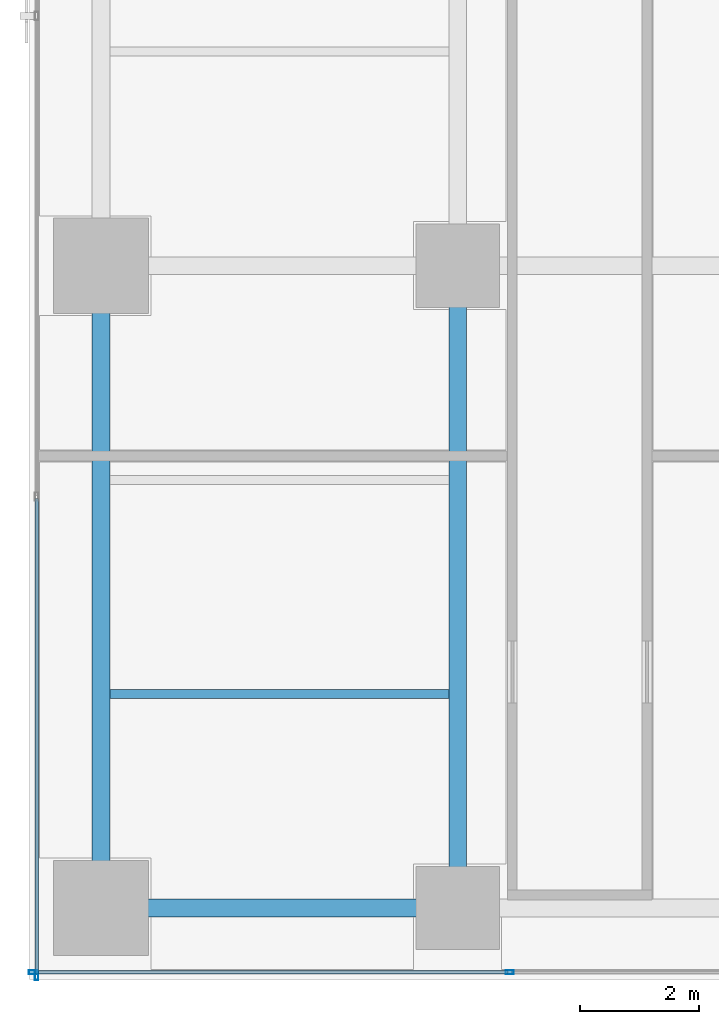
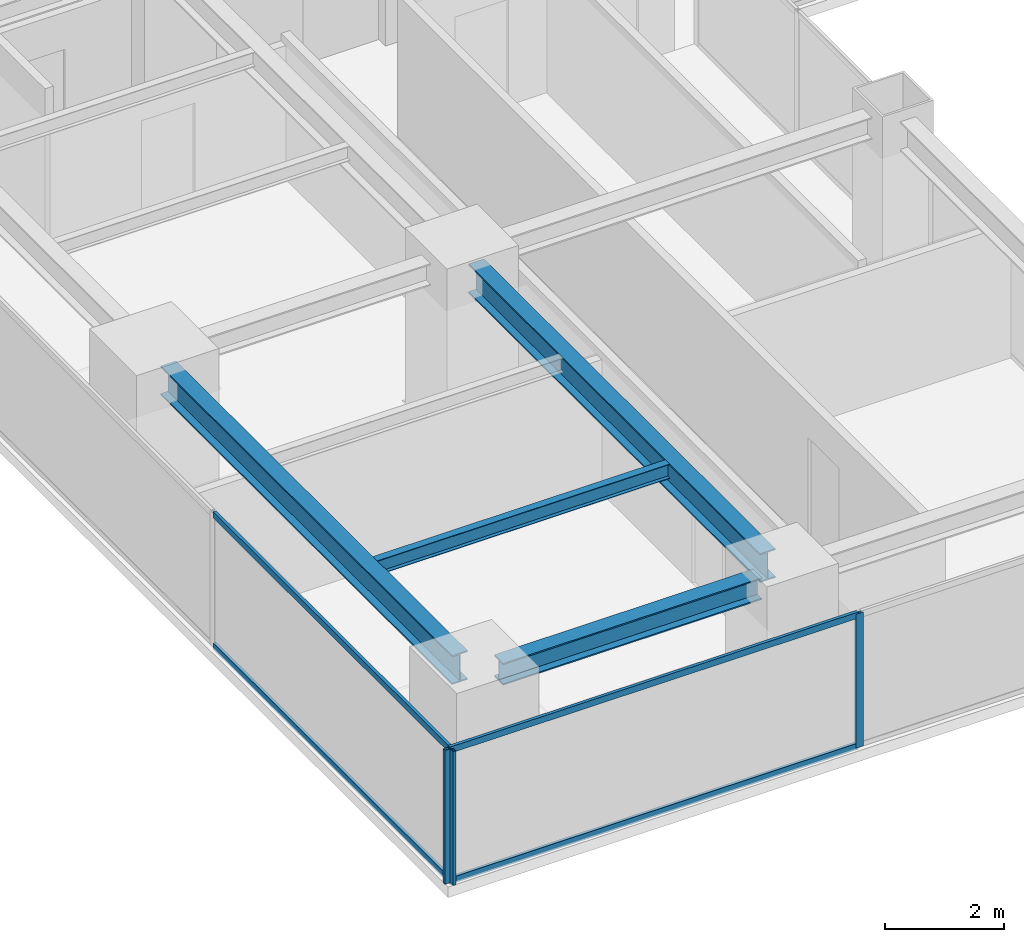
# One storey, part 2 of 29: 7 members, 4 beams, 2 elements without a shape of their own.
"""IFC4 building model written with IfcOpenShell, lengths in metres."""

from ifc_helpers import new_model, si_unit, direction, frame, origin, origin_2d, place, context, subcontext, project, spatial, hollow_rectangle, i_section, extrude, source, transform, mapped, material, layer, layer_set, material_profile, profile_set, type_object, element, aggregate, save


model = new_model("IFC4")

# Units and contexts
model_context = context("Model", 3, precision=1e-05, world=origin(), true_north=direction((0.0, 1.0)))
body_context = subcontext(model_context, "Body", "Model", "MODEL_VIEW")
ifc_project = project(units=[si_unit("LENGTHUNIT", "METRE"), si_unit("AREAUNIT", "SQUARE_METRE"), si_unit("VOLUMEUNIT", "CUBIC_METRE"), si_unit("PLANEANGLEUNIT", "RADIAN"), si_unit("MASSUNIT", "GRAM", prefix="KILO")], contexts=[model_context])

# Site, building, storey
site_placement = place(None, origin())
site = spatial("IfcSite", under=ifc_project, at=site_placement, CompositionType="ELEMENT")
building_placement = place(site_placement, origin())
building = spatial("IfcBuilding", under=site, at=building_placement, Name="Sumidabori Civic Tower", CompositionType="ELEMENT")
storey_placement = place(building_placement, frame((0.0, 0.0, 218.0)))
storey = spatial("IfcBuildingStorey", under=building, at=storey_placement, Name="L56", CompositionType="ELEMENT", Elevation=218.0)

# Beams
ifc_material_1 = material(Name="Steel SN490", Category="steel")
ifc_material_profile_1 = material_profile(ifc_material_1, i_section(OverallWidth=0.300048828125, OverallDepth=0.60009765625, WebThickness=0.015380859375, FlangeThickness=0.030029296875, at=origin_2d()), Name="HE 600 B")
ifc_profile_set_1 = profile_set([ifc_material_profile_1], Name="Steel SN490")
beam_type_1 = type_object("IfcBeamType", Name="BM-GIRD-600", PredefinedType="BEAM", material=ifc_profile_set_1)
shared_shape_1 = source(origin(), body_context, "Body", "SweptSolid", [
    extrude(i_section(OverallWidth=0.300048828125, OverallDepth=0.60009765625, WebThickness=0.015380859375, FlangeThickness=0.030029296875, at=origin_2d()), origin(), (0.0, 0.0, 1.0), 9.840087890625),
])
for number, where, z_axis, x_axis, name in (
    (1, (-22.800048828125, -10.320068359375, 3.080078125), (0.0, 1.0, 0.0), (-1.0, 0.0, 0.0), "Primary Girder L56 GY-11"),
    (2, (-16.800048828125, -10.320068359375, 3.080078125), (0.0, 1.0, 0.0), (-1.0, 0.0, 0.0), "Primary Girder L56 GY-14"),
):
    element("IfcBeam", number, at=place(storey_placement, frame(where, z_axis=z_axis, x_axis=x_axis)), inside=storey, type_object=beam_type_1, Name=name, PredefinedType="BEAM", context=body_context, shape_type="MappedRepresentation", body=[
        mapped(shared_shape_1, transform((0.0, 0.0, 0.0), x_axis=(1.0, 0.0, 0.0), y_axis=(0.0, 1.0, 0.0), z_axis=(0.0, 0.0, 1.0), scale=1.0)),
    ])
ifc_material_profile_2 = material_profile(ifc_material_1, i_section(OverallWidth=0.14990234375, OverallDepth=0.300048828125, WebThickness=0.007080078125, FlangeThickness=0.0107421875, at=origin_2d()), Name="IPE 300")
ifc_profile_set_2 = profile_set([ifc_material_profile_2], Name="Steel SN490")
beam_type_2 = type_object("IfcBeamType", Name="BM-JST-300", PredefinedType="JOIST", material=ifc_profile_set_2)
shared_shape_2 = source(origin(), body_context, "Body", "SweptSolid", [
    extrude(i_section(OverallWidth=0.14990234375, OverallDepth=0.300048828125, WebThickness=0.007080078125, FlangeThickness=0.0107421875, at=origin_2d()), origin(), (0.0, 0.0, 1.0), 5.699951171875),
])
beam_1_placement = place(storey_placement, frame((-22.64990234375, -7.199951171875, 3.22998046875), z_axis=(1.0, 0.0, 0.0), x_axis=(0.0, 1.0, 0.0)))
element("IfcBeam", 3, at=beam_1_placement, inside=storey, type_object=beam_type_2, Name="Outer Bay Floor Joist L56 JSTO-25", PredefinedType="JOIST", context=body_context, shape_type="MappedRepresentation", body=[
    mapped(shared_shape_2, transform((0.0, 0.0, 0.0), x_axis=(1.0, 0.0, 0.0), y_axis=(0.0, 1.0, 0.0), z_axis=(0.0, 0.0, 1.0), scale=1.0)),
])
ifc_material_profile_3 = material_profile(ifc_material_1, i_section(OverallWidth=0.300048828125, OverallDepth=0.449951171875, WebThickness=0.013916015625, FlangeThickness=0.02587890625, at=origin_2d()), Name="HE 450 B")
ifc_profile_set_3 = profile_set([ifc_material_profile_3], Name="Steel SN490")
beam_type_3 = type_object("IfcBeamType", Name="BM-GIRD-450", PredefinedType="BEAM", material=ifc_profile_set_3)
shared_shape_3 = source(origin(), body_context, "Body", "SweptSolid", [
    extrude(i_section(OverallWidth=0.300048828125, OverallDepth=0.449951171875, WebThickness=0.013916015625, FlangeThickness=0.02587890625, at=origin_2d()), origin(), (0.0, 0.0, 1.0), 5.0400390625),
])
beam_2_placement = place(storey_placement, frame((-22.320068359375, -10.800048828125, 3.155029296875), z_axis=(1.0, 0.0, 0.0), x_axis=(0.0, 1.0, 0.0)))
element("IfcBeam", 4, at=beam_2_placement, inside=storey, type_object=beam_type_3, Name="Primary Girder L56 GX-01", PredefinedType="BEAM", context=body_context, shape_type="MappedRepresentation", body=[
    mapped(shared_shape_3, transform((0.0, 0.0, 0.0), x_axis=(1.0, 0.0, 0.0), y_axis=(0.0, 1.0, 0.0), z_axis=(0.0, 0.0, 1.0), scale=1.0)),
])

# Curtain wall, members
ifc_material_2 = material(Name="Anodised Bronze Aluminium AW-6063-T6", Category="aluminium")
ifc_layer = layer(ifc_material_2, 0.179931640625, Name="Anodised Bronze Aluminium AW-6063-T6")
ifc_layer_set = layer_set([ifc_layer], Name="Anodised Bronze Aluminium AW-6063-T6")
curtain_wall_type = type_object("IfcCurtainWallType", Name="CW-SYS-5", PredefinedType="NOTDEFINED", material=ifc_layer_set)
curtain_wall_1_placement = place(storey_placement, origin())
curtain_wall_1 = element("IfcCurtainWall", 5, at=curtain_wall_1_placement, inside=storey, type_object=curtain_wall_type, Name="Curtain Wall CW:L56:R01", PredefinedType="NOTDEFINED")
ifc_material_profile_4 = material_profile(ifc_material_2, hollow_rectangle(XDim=0.06005859375, YDim=0.139892578125, WallThickness=0.0048828125, at=origin_2d()), Name="ALU MULLION 140x60")
ifc_profile_set_4 = profile_set([ifc_material_profile_4], Name="Anodised Bronze Aluminium AW-6063-T6")
member_type_1 = type_object("IfcMemberType", Name="CW-MUL-140", PredefinedType="MULLION", material=ifc_profile_set_4)
shared_shape_4 = source(origin(), body_context, "Body", "SweptSolid", [
    extrude(hollow_rectangle(XDim=0.06005859375, YDim=0.139892578125, WallThickness=0.0048828125, at=origin_2d()), origin(), (0.0, 0.0, 1.0), 2.760009765625),
])
member_1_placement = place(storey_placement, frame((-23.93994140625, -11.8798828125, 0.0), z_axis=(0.0, 0.0, 1.0), x_axis=(0.0, 1.0, 0.0)))
member_1 = element("IfcMember", 6, at=member_1_placement, type_object=member_type_1, Name="CW-5 mullion 1", PredefinedType="MULLION", context=body_context, shape_type="MappedRepresentation", body=[
    mapped(shared_shape_4, transform((0.0, 0.0, 0.0), x_axis=(1.0, 0.0, 0.0), y_axis=(0.0, 1.0, 0.0), z_axis=(0.0, 0.0, 1.0), scale=1.0)),
])
member_2_placement = place(storey_placement, frame((-15.925048828125, -11.8798828125, 0.0), z_axis=(0.0, 0.0, 1.0), x_axis=(0.0, 1.0, 0.0)))
member_2 = element("IfcMember", 7, at=member_2_placement, type_object=member_type_1, Name="CW-5 mullion 2", PredefinedType="MULLION", context=body_context, shape_type="MappedRepresentation", body=[
    mapped(shared_shape_4, transform((0.0, 0.0, 0.0), x_axis=(1.0, 0.0, 0.0), y_axis=(0.0, 1.0, 0.0), z_axis=(0.0, 0.0, 1.0), scale=1.0)),
])

# Curtain wall, member
curtain_wall_2_placement = place(storey_placement, origin())
curtain_wall_2 = element("IfcCurtainWall", 8, at=curtain_wall_2_placement, inside=storey, type_object=curtain_wall_type, Name="Curtain Wall CW:L56:R16", PredefinedType="NOTDEFINED")
member_3_placement = place(storey_placement, frame((-23.8798828125, -11.93994140625, 0.0), z_axis=(0.0, 0.0, 1.0), x_axis=(1.0, 0.0, 0.0)))
member_3 = element("IfcMember", 9, at=member_3_placement, type_object=member_type_1, Name="CW-5 mullion 5", PredefinedType="MULLION", context=body_context, shape_type="MappedRepresentation", body=[
    mapped(shared_shape_4, transform((0.0, 0.0, 0.0), x_axis=(1.0, 0.0, 0.0), y_axis=(0.0, 1.0, 0.0), z_axis=(0.0, 0.0, 1.0), scale=1.0)),
])

# Member
ifc_material_profile_5 = material_profile(ifc_material_2, hollow_rectangle(XDim=0.06005859375, YDim=0.1298828125, WallThickness=0.0048828125, at=origin_2d()), Name="ALU TRANSOM 130x60")
ifc_profile_set_5 = profile_set([ifc_material_profile_5], Name="Anodised Bronze Aluminium AW-6063-T6")
member_type_2 = type_object("IfcMemberType", Name="CW-TRN-130", PredefinedType="USERDEFINED", material=ifc_profile_set_5)
shared_shape_5 = source(origin(), body_context, "Body", "SweptSolid", [
    extrude(hollow_rectangle(XDim=0.06005859375, YDim=0.1298828125, WallThickness=0.0048828125, at=origin_2d()), origin(), (0.0, 0.0, 1.0), 7.954833984375),
])
member_4_placement = place(storey_placement, frame((-23.909912109375, -11.8798828125, 0.030029296875), z_axis=(1.0, 0.0, 0.0), x_axis=(0.0, 1.0, 0.0)))
member_4 = element("IfcMember", 10, at=member_4_placement, type_object=member_type_2, Name="CW-5 transom 1.1", ObjectType="TRANSOM", PredefinedType="USERDEFINED", context=body_context, shape_type="MappedRepresentation", body=[
    mapped(shared_shape_5, transform((0.0, 0.0, 0.0), x_axis=(1.0, 0.0, 0.0), y_axis=(0.0, 1.0, 0.0), z_axis=(0.0, 0.0, 1.0), scale=1.0)),
])

member_5_placement = place(storey_placement, frame((-23.909912109375, -11.8798828125, 2.72998046875), z_axis=(1.0, 0.0, 0.0), x_axis=(0.0, 1.0, 0.0)))
member_5 = element("IfcMember", 11, at=member_5_placement, type_object=member_type_2, Name="CW-5 transom 1.2", ObjectType="TRANSOM", PredefinedType="USERDEFINED", context=body_context, shape_type="MappedRepresentation", body=[
    mapped(shared_shape_5, transform((0.0, 0.0, 0.0), x_axis=(1.0, 0.0, 0.0), y_axis=(0.0, 1.0, 0.0), z_axis=(0.0, 0.0, 1.0), scale=1.0)),
])

aggregate(curtain_wall_1, [member_1, member_2, member_4, member_5])

shared_shape_6 = source(origin(), body_context, "Body", "SweptSolid", [
    extrude(hollow_rectangle(XDim=0.06005859375, YDim=0.1298828125, WallThickness=0.0048828125, at=origin_2d()), origin(), (0.0, 0.0, 1.0), 7.994873046875),
])
member_6_placement = place(storey_placement, frame((-23.8798828125, -3.9150390625, 0.030029296875), z_axis=(0.0, -1.0, 0.0), x_axis=(1.0, 0.0, 0.0)))
member_6 = element("IfcMember", 12, at=member_6_placement, type_object=member_type_2, Name="CW-5 transom 4.1", ObjectType="TRANSOM", PredefinedType="USERDEFINED", context=body_context, shape_type="MappedRepresentation", body=[
    mapped(shared_shape_6, transform((0.0, 0.0, 0.0), x_axis=(1.0, 0.0, 0.0), y_axis=(0.0, 1.0, 0.0), z_axis=(0.0, 0.0, 1.0), scale=1.0)),
])

member_7_placement = place(storey_placement, frame((-23.8798828125, -3.9150390625, 2.72998046875), z_axis=(0.0, -1.0, 0.0), x_axis=(1.0, 0.0, 0.0)))
member_7 = element("IfcMember", 13, at=member_7_placement, type_object=member_type_2, Name="CW-5 transom 4.2", ObjectType="TRANSOM", PredefinedType="USERDEFINED", context=body_context, shape_type="MappedRepresentation", body=[
    mapped(shared_shape_6, transform((0.0, 0.0, 0.0), x_axis=(1.0, 0.0, 0.0), y_axis=(0.0, 1.0, 0.0), z_axis=(0.0, 0.0, 1.0), scale=1.0)),
])

aggregate(curtain_wall_2, [member_3, member_6, member_7])

save(model, "model.ifc")
